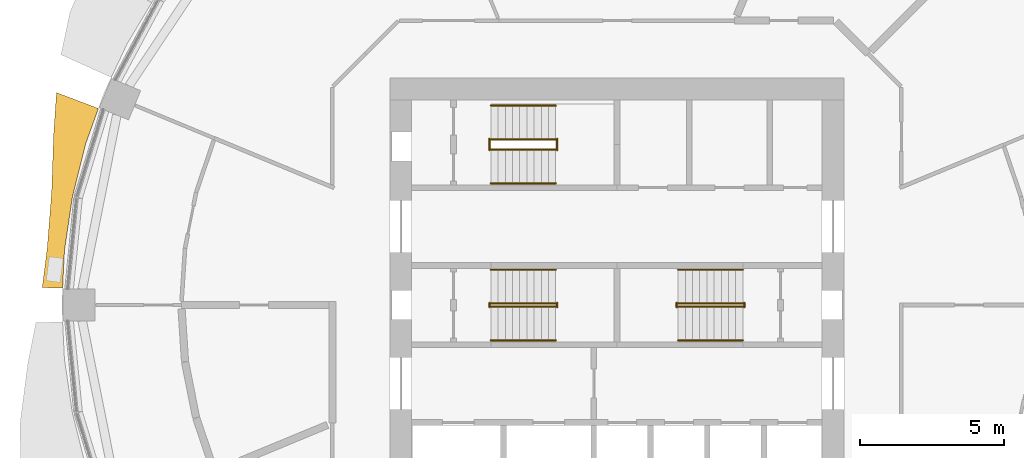
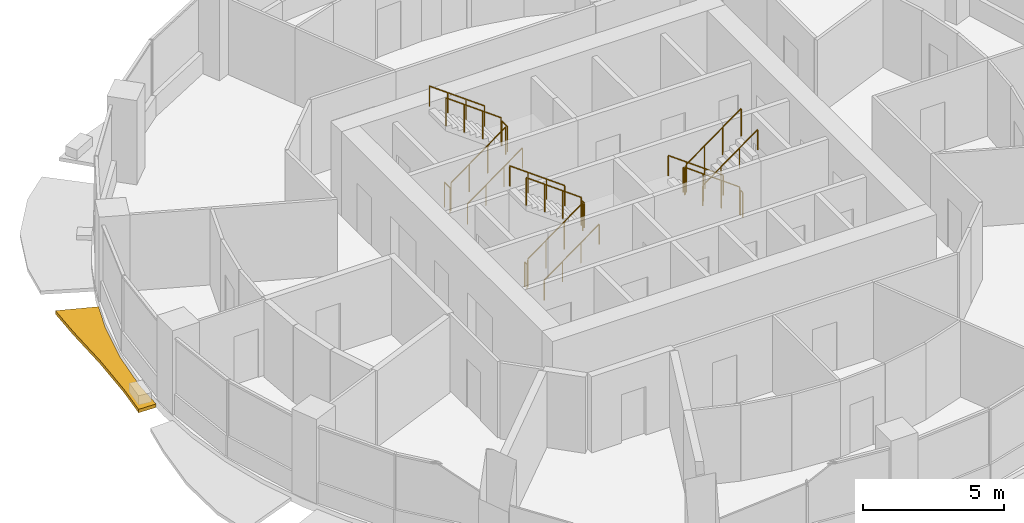
# One storey, part 12 of 14: 18 railings, 1 shading device.
"""IFC4 building model written with IfcOpenShell, lengths in metres."""

from ifc_helpers import new_model, si_unit, direction, frame, origin, origin_2d, place, context, subcontext, project, spatial, polyline, circle, outline, extrude, material, type_object, element, save


model = new_model("IFC4")

# Units and contexts
model_context = context("Model", 3, precision=1e-05, world=origin(), true_north=direction((0.0, 1.0)))
body_context = subcontext(model_context, "Body", "Model", "MODEL_VIEW")
ifc_project = project(units=[si_unit("LENGTHUNIT", "METRE"), si_unit("AREAUNIT", "SQUARE_METRE"), si_unit("VOLUMEUNIT", "CUBIC_METRE"), si_unit("PLANEANGLEUNIT", "RADIAN"), si_unit("MASSUNIT", "GRAM", prefix="KILO")], contexts=[model_context])

# Site, building, storey
site_placement = place(None, origin())
site = spatial("IfcSite", under=ifc_project, at=site_placement, CompositionType="ELEMENT")
building_placement = place(site_placement, origin())
building = spatial("IfcBuilding", under=site, at=building_placement, Name="Polderwave Tower", CompositionType="ELEMENT")
storey_placement = place(building_placement, frame((0.0, 0.0, 101.949951171875)))
storey = spatial("IfcBuildingStorey", under=building, at=storey_placement, Name="L26", CompositionType="ELEMENT", Elevation=101.949951171875)

# Railings
ifc_material_1 = material(Name="Stainless steel", Category="steel")
railing_type_1 = type_object("IfcRailingType", Name="Stair guard 1100", PredefinedType="GUARDRAIL", material=ifc_material_1)
railing_1_placement = place(storey_placement, frame((-4.3740234375, -0.051025390625, 0.0625)))
element("IfcRailing", 1, at=railing_1_placement, inside=storey, type_object=railing_type_1, Name="L26 ST-A stair guard 1", PredefinedType="GUARDRAIL", context=body_context, shape_type="SweptSolid", body=[
    extrude(circle(Radius=0.02392578125, at=origin_2d()), frame((0.0, 0.0, 1.1962890625), z_axis=(0.807715371301, 0.0, 0.589572623995), x_axis=(0.0, 1.0, 0.0)), (0.0, 0.0, 1.0), 2.78564453125),
    extrude(circle(Radius=0.02392578125, at=origin_2d()), origin(), (0.0, 0.0, 1.0), 1.172119140625),
    extrude(circle(Radius=0.02392578125, at=origin_2d()), frame((0.75, 0.0, 0.54736328125)), (0.0, 0.0, 1.0), 1.172119140625),
    extrude(circle(Radius=0.02392578125, at=origin_2d()), frame((1.5, 0.0, 1.094970703125)), (0.0, 0.0, 1.0), 1.172119140625),
    extrude(circle(Radius=0.02392578125, at=origin_2d()), frame((2.25, 0.0, 1.642333984375)), (0.0, 0.0, 1.0), 1.172119140625),
])
railing_2_placement = place(storey_placement, frame((-2.073974609375, -0.074951171875, 1.824951171875)))
element("IfcRailing", 2, at=railing_2_placement, inside=storey, type_object=railing_type_1, Name="L26 ST-A stair guard 2", PredefinedType="GUARDRAIL", context=body_context, shape_type="SweptSolid", body=[
    extrude(circle(Radius=0.02392578125, at=origin_2d()), frame((0.0, 0.0, 1.076171875), z_axis=(0.0, 1.0, 0.0), x_axis=(-1.0, 0.0, 0.0)), (0.0, 0.0, 1.0), 0.14990234375),
    extrude(circle(Radius=0.02099609375, at=origin_2d()), origin(), (0.0, 0.0, 1.0), 1.052001953125),
    extrude(circle(Radius=0.02099609375, at=origin_2d()), frame((0.0, 0.14990234375, 0.0)), (0.0, 0.0, 1.0), 1.052001953125),
])
railing_3_placement = place(storey_placement, frame((-2.1240234375, 0.051025390625, 1.887451171875)))
element("IfcRailing", 3, at=railing_3_placement, inside=storey, type_object=railing_type_1, Name="L26 ST-A stair guard 3", PredefinedType="GUARDRAIL", context=body_context, shape_type="SweptSolid", body=[
    extrude(circle(Radius=0.02392578125, at=origin_2d()), frame((0.0, 0.0, 1.1962890625), z_axis=(-0.807673635365, 0.0, 0.58962979804), x_axis=(0.0, -1.0, 0.0)), (0.0, 0.0, 1.0), 2.785888671875),
    extrude(circle(Radius=0.02392578125, at=origin_2d()), origin(), (0.0, 0.0, 1.0), 1.172119140625),
    extrude(circle(Radius=0.02392578125, at=origin_2d()), frame((-0.75, 0.0, 0.547607421875)), (0.0, 0.0, 1.0), 1.172119140625),
    extrude(circle(Radius=0.02392578125, at=origin_2d()), frame((-1.5, 0.0, 1.094970703125)), (0.0, 0.0, 1.0), 1.172119140625),
    extrude(circle(Radius=0.02392578125, at=origin_2d()), frame((-2.25, 0.0, 1.642578125)), (0.0, 0.0, 1.0), 1.172119140625),
])
railing_4_placement = place(storey_placement, frame((-4.424072265625, -0.074951171875, 0.0)))
element("IfcRailing", 4, at=railing_4_placement, inside=storey, type_object=railing_type_1, Name="L26 ST-A stair guard 4", PredefinedType="GUARDRAIL", context=body_context, shape_type="SweptSolid", body=[
    extrude(circle(Radius=0.02392578125, at=origin_2d()), frame((0.0, 0.0, 1.076171875), z_axis=(0.0, 1.0, 0.0), x_axis=(-1.0, 0.0, 0.0)), (0.0, 0.0, 1.0), 0.14990234375),
    extrude(circle(Radius=0.02099609375, at=origin_2d()), origin(), (0.0, 0.0, 1.0), 1.052001953125),
    extrude(circle(Radius=0.02099609375, at=origin_2d()), frame((0.0, 0.14990234375, 0.0)), (0.0, 0.0, 1.0), 1.052001953125),
])
railing_5_placement = place(storey_placement, frame((4.3740234375, 0.051025390625, 0.0625)))
element("IfcRailing", 5, at=railing_5_placement, inside=storey, type_object=railing_type_1, Name="L26 ST-B stair guard 1", PredefinedType="GUARDRAIL", context=body_context, shape_type="SweptSolid", body=[
    extrude(circle(Radius=0.02392578125, at=origin_2d()), frame((0.0, 0.0, 1.1962890625), z_axis=(-0.807715371301, 0.0, 0.589572623995), x_axis=(0.0, -1.0, 0.0)), (0.0, 0.0, 1.0), 2.78564453125),
    extrude(circle(Radius=0.02392578125, at=origin_2d()), origin(), (0.0, 0.0, 1.0), 1.172119140625),
    extrude(circle(Radius=0.02392578125, at=origin_2d()), frame((-0.75, 0.0, 0.54736328125)), (0.0, 0.0, 1.0), 1.172119140625),
    extrude(circle(Radius=0.02392578125, at=origin_2d()), frame((-1.5, 0.0, 1.094970703125)), (0.0, 0.0, 1.0), 1.172119140625),
    extrude(circle(Radius=0.02392578125, at=origin_2d()), frame((-2.25, 0.0, 1.642333984375)), (0.0, 0.0, 1.0), 1.172119140625),
])
railing_6_placement = place(storey_placement, frame((2.073974609375, 0.074951171875, 1.824951171875)))
element("IfcRailing", 6, at=railing_6_placement, inside=storey, type_object=railing_type_1, Name="L26 ST-B stair guard 2", PredefinedType="GUARDRAIL", context=body_context, shape_type="SweptSolid", body=[
    extrude(circle(Radius=0.02392578125, at=origin_2d()), frame((0.0, 0.0, 1.076171875), z_axis=(0.0, -1.0, 0.0), x_axis=(1.0, 0.0, 0.0)), (0.0, 0.0, 1.0), 0.14990234375),
    extrude(circle(Radius=0.02099609375, at=origin_2d()), origin(), (0.0, 0.0, 1.0), 1.052001953125),
    extrude(circle(Radius=0.02099609375, at=origin_2d()), frame((0.0, -0.14990234375, 0.0)), (0.0, 0.0, 1.0), 1.052001953125),
])
railing_7_placement = place(storey_placement, frame((2.1240234375, -0.051025390625, 1.887451171875)))
element("IfcRailing", 7, at=railing_7_placement, inside=storey, type_object=railing_type_1, Name="L26 ST-B stair guard 3", PredefinedType="GUARDRAIL", context=body_context, shape_type="SweptSolid", body=[
    extrude(circle(Radius=0.02392578125, at=origin_2d()), frame((0.0, 0.0, 1.1962890625), z_axis=(0.807673635365, 0.0, 0.58962979804), x_axis=(0.0, 1.0, 0.0)), (0.0, 0.0, 1.0), 2.785888671875),
    extrude(circle(Radius=0.02392578125, at=origin_2d()), origin(), (0.0, 0.0, 1.0), 1.172119140625),
    extrude(circle(Radius=0.02392578125, at=origin_2d()), frame((0.75, 0.0, 0.547607421875)), (0.0, 0.0, 1.0), 1.172119140625),
    extrude(circle(Radius=0.02392578125, at=origin_2d()), frame((1.5, 0.0, 1.094970703125)), (0.0, 0.0, 1.0), 1.172119140625),
    extrude(circle(Radius=0.02392578125, at=origin_2d()), frame((2.25, 0.0, 1.642578125)), (0.0, 0.0, 1.0), 1.172119140625),
])
railing_8_placement = place(storey_placement, frame((4.424072265625, 0.074951171875, 0.0)))
element("IfcRailing", 8, at=railing_8_placement, inside=storey, type_object=railing_type_1, Name="L26 ST-B stair guard 4", PredefinedType="GUARDRAIL", context=body_context, shape_type="SweptSolid", body=[
    extrude(circle(Radius=0.02392578125, at=origin_2d()), frame((0.0, 0.0, 1.076171875), z_axis=(0.0, -1.0, 0.0), x_axis=(1.0, 0.0, 0.0)), (0.0, 0.0, 1.0), 0.14990234375),
    extrude(circle(Radius=0.02099609375, at=origin_2d()), origin(), (0.0, 0.0, 1.0), 1.052001953125),
    extrude(circle(Radius=0.02099609375, at=origin_2d()), frame((0.0, -0.14990234375, 0.0)), (0.0, 0.0, 1.0), 1.052001953125),
])
railing_9_placement = place(storey_placement, frame((-4.3740234375, 5.39794921875, 0.0625)))
element("IfcRailing", 9, at=railing_9_placement, inside=storey, type_object=railing_type_1, Name="L26 ST-C stair guard 1", PredefinedType="GUARDRAIL", context=body_context, shape_type="SweptSolid", body=[
    extrude(circle(Radius=0.02392578125, at=origin_2d()), frame((0.0, 0.0, 1.1962890625), z_axis=(0.807715371301, 0.0, 0.589572623995), x_axis=(0.0, 1.0, 0.0)), (0.0, 0.0, 1.0), 2.78564453125),
    extrude(circle(Radius=0.02392578125, at=origin_2d()), origin(), (0.0, 0.0, 1.0), 1.172119140625),
    extrude(circle(Radius=0.02392578125, at=origin_2d()), frame((0.75, 0.0, 0.54736328125)), (0.0, 0.0, 1.0), 1.172119140625),
    extrude(circle(Radius=0.02392578125, at=origin_2d()), frame((1.5, 0.0, 1.094970703125)), (0.0, 0.0, 1.0), 1.172119140625),
    extrude(circle(Radius=0.02392578125, at=origin_2d()), frame((2.25, 0.0, 1.642333984375)), (0.0, 0.0, 1.0), 1.172119140625),
])
railing_10_placement = place(storey_placement, frame((-2.073974609375, 5.3740234375, 1.824951171875)))
element("IfcRailing", 10, at=railing_10_placement, inside=storey, type_object=railing_type_1, Name="L26 ST-C stair guard 2", PredefinedType="GUARDRAIL", context=body_context, shape_type="SweptSolid", body=[
    extrude(circle(Radius=0.02392578125, at=origin_2d()), frame((0.0, 0.0, 1.076171875), z_axis=(0.0, 1.0, 0.0), x_axis=(-1.0, 0.0, 0.0)), (0.0, 0.0, 1.0), 0.39990234375),
    extrude(circle(Radius=0.02099609375, at=origin_2d()), origin(), (0.0, 0.0, 1.0), 1.052001953125),
    extrude(circle(Radius=0.02099609375, at=origin_2d()), frame((0.0, 0.39990234375, 0.0)), (0.0, 0.0, 1.0), 1.052001953125),
])
railing_11_placement = place(storey_placement, frame((-2.1240234375, 5.75, 1.887451171875)))
element("IfcRailing", 11, at=railing_11_placement, inside=storey, type_object=railing_type_1, Name="L26 ST-C stair guard 3", PredefinedType="GUARDRAIL", context=body_context, shape_type="SweptSolid", body=[
    extrude(circle(Radius=0.02392578125, at=origin_2d()), frame((0.0, 0.0, 1.1962890625), z_axis=(-0.807673635365, 0.0, 0.58962979804), x_axis=(0.0, -1.0, 0.0)), (0.0, 0.0, 1.0), 2.785888671875),
    extrude(circle(Radius=0.02392578125, at=origin_2d()), origin(), (0.0, 0.0, 1.0), 1.172119140625),
    extrude(circle(Radius=0.02392578125, at=origin_2d()), frame((-0.75, 0.0, 0.547607421875)), (0.0, 0.0, 1.0), 1.172119140625),
    extrude(circle(Radius=0.02392578125, at=origin_2d()), frame((-1.5, 0.0, 1.094970703125)), (0.0, 0.0, 1.0), 1.172119140625),
    extrude(circle(Radius=0.02392578125, at=origin_2d()), frame((-2.25, 0.0, 1.642578125)), (0.0, 0.0, 1.0), 1.172119140625),
])
railing_12_placement = place(storey_placement, frame((-4.424072265625, 5.3740234375, 0.0)))
element("IfcRailing", 12, at=railing_12_placement, inside=storey, type_object=railing_type_1, Name="L26 ST-C stair guard 4", PredefinedType="GUARDRAIL", context=body_context, shape_type="SweptSolid", body=[
    extrude(circle(Radius=0.02392578125, at=origin_2d()), frame((0.0, 0.0, 1.076171875), z_axis=(0.0, 1.0, 0.0), x_axis=(-1.0, 0.0, 0.0)), (0.0, 0.0, 1.0), 0.39990234375),
    extrude(circle(Radius=0.02099609375, at=origin_2d()), origin(), (0.0, 0.0, 1.0), 1.052001953125),
    extrude(circle(Radius=0.02099609375, at=origin_2d()), frame((0.0, 0.39990234375, 0.0)), (0.0, 0.0, 1.0), 1.052001953125),
])
railing_type_2 = type_object("IfcRailingType", Name="Stair handrail 900", PredefinedType="HANDRAIL", material=ifc_material_1)
railing_13_placement = place(storey_placement, frame((-4.3740234375, -1.22509765625, 0.1826171875)))
element("IfcRailing", 13, at=railing_13_placement, inside=storey, type_object=railing_type_2, Name="L26 ST-A stair handrail 1", PredefinedType="HANDRAIL", context=body_context, shape_type="SweptSolid", body=[
    extrude(circle(Radius=0.02392578125, at=origin_2d()), frame((0.0, 0.0, 0.8759765625), z_axis=(0.807715371301, 0.0, 0.589572623995), x_axis=(0.0, 1.0, 0.0)), (0.0, 0.0, 1.0), 2.78564453125),
    extrude(circle(Radius=0.02099609375, at=origin_2d()), origin(), (0.0, 0.0, 1.0), 0.851806640625),
    extrude(circle(Radius=0.02099609375, at=origin_2d()), frame((0.75, 0.0, 0.54736328125)), (0.0, 0.0, 1.0), 0.851806640625),
    extrude(circle(Radius=0.02099609375, at=origin_2d()), frame((1.5, 0.0, 1.094970703125)), (0.0, 0.0, 1.0), 0.851806640625),
    extrude(circle(Radius=0.02099609375, at=origin_2d()), frame((2.25, 0.0, 1.642333984375)), (0.0, 0.0, 1.0), 0.851806640625),
])
railing_14_placement = place(storey_placement, frame((-2.1240234375, 1.22509765625, 2.007568359375)))
element("IfcRailing", 14, at=railing_14_placement, inside=storey, type_object=railing_type_2, Name="L26 ST-A stair handrail 2", PredefinedType="HANDRAIL", context=body_context, shape_type="SweptSolid", body=[
    extrude(circle(Radius=0.02392578125, at=origin_2d()), frame((0.0, 0.0, 0.8759765625), z_axis=(-0.807673635365, 0.0, 0.58962979804), x_axis=(0.0, -1.0, 0.0)), (0.0, 0.0, 1.0), 2.785888671875),
    extrude(circle(Radius=0.02099609375, at=origin_2d()), origin(), (0.0, 0.0, 1.0), 0.851806640625),
    extrude(circle(Radius=0.02099609375, at=origin_2d()), frame((-0.75, 0.0, 0.547607421875)), (0.0, 0.0, 1.0), 0.851806640625),
    extrude(circle(Radius=0.02099609375, at=origin_2d()), frame((-1.5, 0.0, 1.094970703125)), (0.0, 0.0, 1.0), 0.851806640625),
    extrude(circle(Radius=0.02099609375, at=origin_2d()), frame((-2.25, 0.0, 1.642578125)), (0.0, 0.0, 1.0), 0.851806640625),
])
railing_15_placement = place(storey_placement, frame((4.3740234375, 1.22509765625, 0.1826171875)))
element("IfcRailing", 15, at=railing_15_placement, inside=storey, type_object=railing_type_2, Name="L26 ST-B stair handrail 1", PredefinedType="HANDRAIL", context=body_context, shape_type="SweptSolid", body=[
    extrude(circle(Radius=0.02392578125, at=origin_2d()), frame((0.0, 0.0, 0.8759765625), z_axis=(-0.807715371301, 0.0, 0.589572623995), x_axis=(0.0, -1.0, 0.0)), (0.0, 0.0, 1.0), 2.78564453125),
    extrude(circle(Radius=0.02099609375, at=origin_2d()), origin(), (0.0, 0.0, 1.0), 0.851806640625),
    extrude(circle(Radius=0.02099609375, at=origin_2d()), frame((-0.75, 0.0, 0.54736328125)), (0.0, 0.0, 1.0), 0.851806640625),
    extrude(circle(Radius=0.02099609375, at=origin_2d()), frame((-1.5, 0.0, 1.094970703125)), (0.0, 0.0, 1.0), 0.851806640625),
    extrude(circle(Radius=0.02099609375, at=origin_2d()), frame((-2.25, 0.0, 1.642333984375)), (0.0, 0.0, 1.0), 0.851806640625),
])
railing_16_placement = place(storey_placement, frame((2.1240234375, -1.22509765625, 2.007568359375)))
element("IfcRailing", 16, at=railing_16_placement, inside=storey, type_object=railing_type_2, Name="L26 ST-B stair handrail 2", PredefinedType="HANDRAIL", context=body_context, shape_type="SweptSolid", body=[
    extrude(circle(Radius=0.02392578125, at=origin_2d()), frame((0.0, 0.0, 0.8759765625), z_axis=(0.807673635365, 0.0, 0.58962979804), x_axis=(0.0, 1.0, 0.0)), (0.0, 0.0, 1.0), 2.785888671875),
    extrude(circle(Radius=0.02099609375, at=origin_2d()), origin(), (0.0, 0.0, 1.0), 0.851806640625),
    extrude(circle(Radius=0.02099609375, at=origin_2d()), frame((0.75, 0.0, 0.547607421875)), (0.0, 0.0, 1.0), 0.851806640625),
    extrude(circle(Radius=0.02099609375, at=origin_2d()), frame((1.5, 0.0, 1.094970703125)), (0.0, 0.0, 1.0), 0.851806640625),
    extrude(circle(Radius=0.02099609375, at=origin_2d()), frame((2.25, 0.0, 1.642578125)), (0.0, 0.0, 1.0), 0.851806640625),
])
railing_17_placement = place(storey_placement, frame((-4.3740234375, 4.22412109375, 0.1826171875)))
element("IfcRailing", 17, at=railing_17_placement, inside=storey, type_object=railing_type_2, Name="L26 ST-C stair handrail 1", PredefinedType="HANDRAIL", context=body_context, shape_type="SweptSolid", body=[
    extrude(circle(Radius=0.02392578125, at=origin_2d()), frame((0.0, 0.0, 0.8759765625), z_axis=(0.807715371301, 0.0, 0.589572623995), x_axis=(0.0, 1.0, 0.0)), (0.0, 0.0, 1.0), 2.78564453125),
    extrude(circle(Radius=0.02099609375, at=origin_2d()), origin(), (0.0, 0.0, 1.0), 0.851806640625),
    extrude(circle(Radius=0.02099609375, at=origin_2d()), frame((0.75, 0.0, 0.54736328125)), (0.0, 0.0, 1.0), 0.851806640625),
    extrude(circle(Radius=0.02099609375, at=origin_2d()), frame((1.5, 0.0, 1.094970703125)), (0.0, 0.0, 1.0), 0.851806640625),
    extrude(circle(Radius=0.02099609375, at=origin_2d()), frame((2.25, 0.0, 1.642333984375)), (0.0, 0.0, 1.0), 0.851806640625),
])
railing_18_placement = place(storey_placement, frame((-2.1240234375, 6.924072265625, 2.007568359375)))
element("IfcRailing", 18, at=railing_18_placement, inside=storey, type_object=railing_type_2, Name="L26 ST-C stair handrail 2", PredefinedType="HANDRAIL", context=body_context, shape_type="SweptSolid", body=[
    extrude(circle(Radius=0.02392578125, at=origin_2d()), frame((0.0, 0.0, 0.8759765625), z_axis=(-0.807673635365, 0.0, 0.58962979804), x_axis=(0.0, -1.0, 0.0)), (0.0, 0.0, 1.0), 2.785888671875),
    extrude(circle(Radius=0.02099609375, at=origin_2d()), origin(), (0.0, 0.0, 1.0), 0.851806640625),
    extrude(circle(Radius=0.02099609375, at=origin_2d()), frame((-0.75, 0.0, 0.547607421875)), (0.0, 0.0, 1.0), 0.851806640625),
    extrude(circle(Radius=0.02099609375, at=origin_2d()), frame((-1.5, 0.0, 1.094970703125)), (0.0, 0.0, 1.0), 0.851806640625),
    extrude(circle(Radius=0.02099609375, at=origin_2d()), frame((-2.25, 0.0, 1.642578125)), (0.0, 0.0, 1.0), 0.851806640625),
])

# Shading device
ifc_material_2 = material(Name="Terracotta", Category="masonry")
shading_device_type = type_object("IfcShadingDeviceType", Name="Terracotta sunshade band", PredefinedType="USERDEFINED", material=ifc_material_2)
shading_device_placement = place(storey_placement, frame((0.0, 0.0, -0.349853515625)))
element("IfcShadingDevice", 19, at=shading_device_placement, inside=storey, type_object=shading_device_type, Name="Sunshade band L26 8", ObjectType="SUNSHADE", PredefinedType="USERDEFINED", context=body_context, shape_type="SweptSolid", body=[
    extrude(outline(polyline([(-18.000244140625, 6.82373046875), (-18.440185546875, 5.59375), (-18.899658203125, 3.759521484375), (-19.17724609375, 1.888916015625), (-19.2412109375, 0.583984375), (-19.948974609375, 0.60546875), (-19.776123046875, 1.94775390625), (-19.621337890625, 3.90283203125), (-19.55126953125, 5.930908203125), (-19.451904296875, 7.3740234375), (-18.000244140625, 6.82373046875)])), origin(), (0.0, 0.0, 1.0), 0.14990234375),
])

save(model, "model.ifc")
